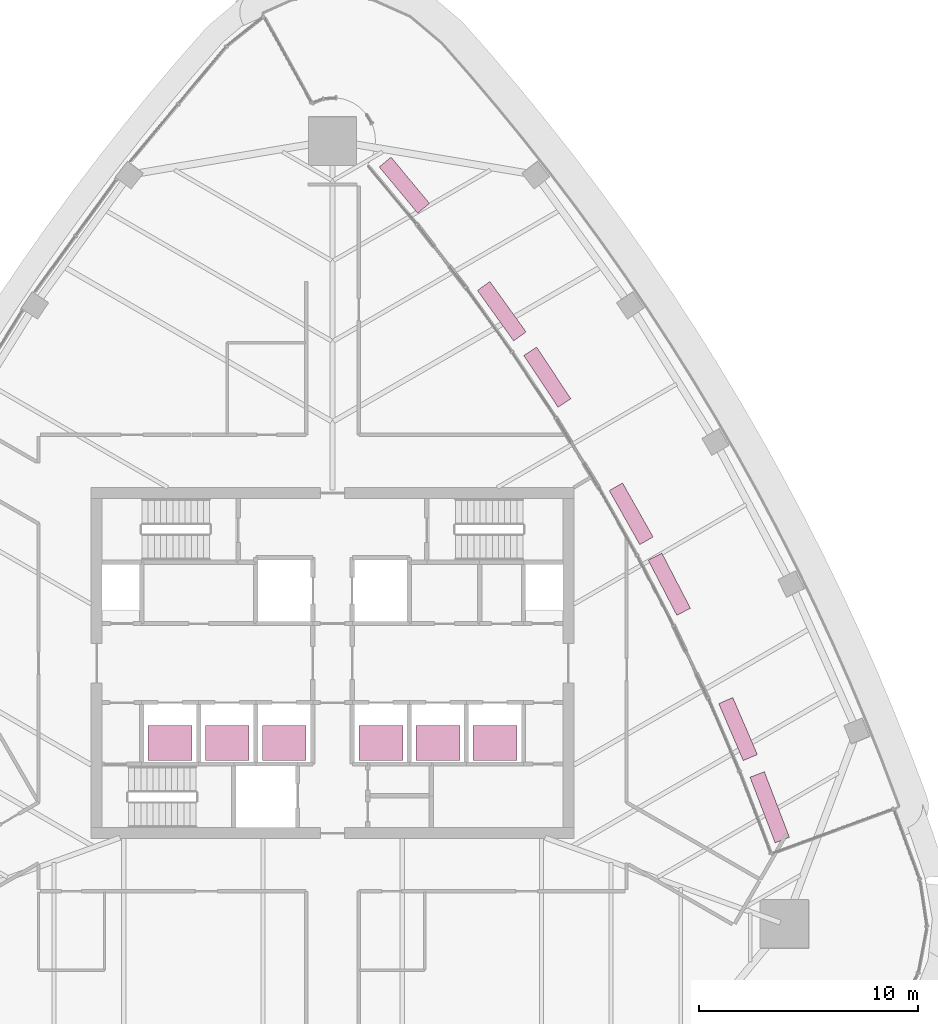
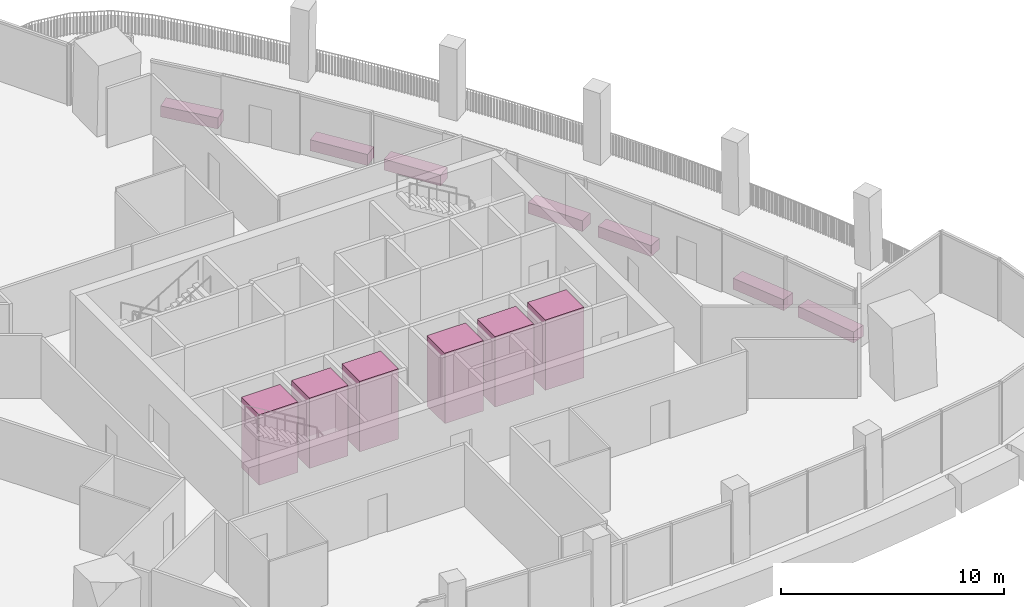
# One storey, part 18 of 18: 7 furniture elements, 6 transport elements.
"""IFC4 building model written with IfcOpenShell, lengths in metres."""

from ifc_helpers import new_model, si_unit, direction, frame, origin, origin_2d, place, context, subcontext, project, spatial, rectangle, extrude, material, type_object, element, save


model = new_model("IFC4")

# Units and contexts
model_context = context("Model", 3, precision=1e-05, world=origin(), true_north=direction((0.0, 1.0)))
body_context = subcontext(model_context, "Body", "Model", "MODEL_VIEW")
ifc_project = project(units=[si_unit("LENGTHUNIT", "METRE"), si_unit("AREAUNIT", "SQUARE_METRE"), si_unit("VOLUMEUNIT", "CUBIC_METRE"), si_unit("PLANEANGLEUNIT", "RADIAN"), si_unit("MASSUNIT", "GRAM", prefix="KILO")], contexts=[model_context])

# Site, building, storey
site_placement = place(None, origin())
site = spatial("IfcSite", under=ifc_project, at=site_placement, CompositionType="ELEMENT")
building_placement = place(site_placement, origin())
building = spatial("IfcBuilding", under=site, at=building_placement, Name="Sierra Prisma Convention Tower", CompositionType="ELEMENT")
storey_placement = place(building_placement, frame((0.0, 0.0, 291.0)))
storey = spatial("IfcBuildingStorey", under=building, at=storey_placement, Name="L66", CompositionType="ELEMENT", Elevation=291.0)

# Transport elements
ifc_material_1 = material(Name="Stainless steel", Category="steel")
transport_element_type = type_object("IfcTransportElementType", Name="Lift car office high 2000x1600 1600 kg", PredefinedType="ELEVATOR", material=ifc_material_1)
for number, where, z_axis, x_axis, name in (
    (1, (-7.39990234375, -3.64990234375, 0.0), (0.0, 0.0, 1.0), (1.0, 0.0, 0.0), "Lift OH1"),
    (2, (-4.800048828125, -3.64990234375, 0.0), (0.0, 0.0, 1.0), (1.0, 0.0, 0.0), "Lift OH2"),
    (3, (-2.199951171875, -3.64990234375, 0.0), (0.0, 0.0, 1.0), (1.0, 0.0, 0.0), "Lift OH3"),
    (4, (2.199951171875, -3.64990234375, 0.0), (0.0, 0.0, 1.0), (1.0, 0.0, 0.0), "Lift OH4"),
    (5, (4.800048828125, -3.64990234375, 0.0), (0.0, 0.0, 1.0), (1.0, 0.0, 0.0), "Lift OH5"),
    (6, (7.39990234375, -3.64990234375, 0.0), (0.0, 0.0, 1.0), (1.0, 0.0, 0.0), "Lift OH6"),
):
    element("IfcTransportElement", number, at=place(storey_placement, frame(where, z_axis=z_axis, x_axis=x_axis)), inside=storey, type_object=transport_element_type, Name=name, PredefinedType="ELEVATOR", context=body_context, shape_type="SweptSolid", body=[
        extrude(rectangle(XDim=2.0, YDim=1.60009765625, at=origin_2d()), origin(), (0.0, 0.0, 1.0), 3.85009765625),
    ])

# Furniture
ifc_material_2 = material(Name="Precast concrete C40/50", Category="concrete")
furniture_type = type_object("IfcFurnitureType", Name="Terrace planter", AssemblyPlace="NOTDEFINED", PredefinedType="USERDEFINED", material=ifc_material_2)
furniture_1_placement = place(storey_placement, frame((19.923583984375, -6.572998046875, 0.0400390625), z_axis=(0.0, 0.0, 1.0), x_axis=(-0.357276922993, 0.933998501228, 0.0)))
element("IfcFurniture", 7, at=furniture_1_placement, inside=storey, type_object=furniture_type, Name="Planter L66.1", ObjectType="PLANTER", PredefinedType="USERDEFINED", context=body_context, shape_type="SweptSolid", body=[
    extrude(rectangle(XDim=3.204345703125, YDim=0.699951171875, at=origin_2d()), origin(), (0.0, 0.0, 1.0), 0.60009765625),
])
for number, where, z_axis, x_axis, name in (
    (8, (18.479248046875, -3.009765625, 0.0400390625), (0.0, 0.0, 1.0), (-0.395755932624, 0.918355727261, 0.0), "Planter L66.2"),
    (9, (15.34912109375, 3.590576171875, 0.0400390625), (0.0, 0.0, 1.0), (-0.460635552464, 0.887589368912, 0.0), "Planter L66.4"),
    (10, (13.608642578125, 6.80224609375, 0.0400390625), (0.0, 0.0, 1.0), (-0.492205183621, 0.870479211249, 0.0), "Planter L66.5"),
    (11, (9.787109375, 13.028076171875, 0.0400390625), (0.0, 0.0, 1.0), (-0.553400611611, 0.832915219617, 0.0), "Planter L66.7"),
    (12, (7.711181640625, 16.033935546875, 0.0400390625), (0.0, 0.0, 1.0), (-0.582947503127, 0.812509820616, 0.0), "Planter L66.8"),
):
    element("IfcFurniture", number, at=place(storey_placement, frame(where, z_axis=z_axis, x_axis=x_axis)), inside=storey, type_object=furniture_type, Name=name, ObjectType="PLANTER", PredefinedType="USERDEFINED", context=body_context, shape_type="SweptSolid", body=[
        extrude(rectangle(XDim=2.82861328125, YDim=0.699951171875, at=origin_2d()), origin(), (0.0, 0.0, 1.0), 0.60009765625),
    ])
furniture_2_placement = place(storey_placement, frame((3.27099609375, 21.77880859375, 0.0400390625), z_axis=(0.0, 0.0, 1.0), x_axis=(-0.639577007382, 0.768727033236, 0.0)))
element("IfcFurniture", 13, at=furniture_2_placement, inside=storey, type_object=furniture_type, Name="Planter L66.10", ObjectType="PLANTER", PredefinedType="USERDEFINED", context=body_context, shape_type="SweptSolid", body=[
    extrude(rectangle(XDim=2.740234375, YDim=0.699951171875, at=origin_2d()), origin(), (0.0, 0.0, 1.0), 0.60009765625),
])

save(model, "model.ifc")
